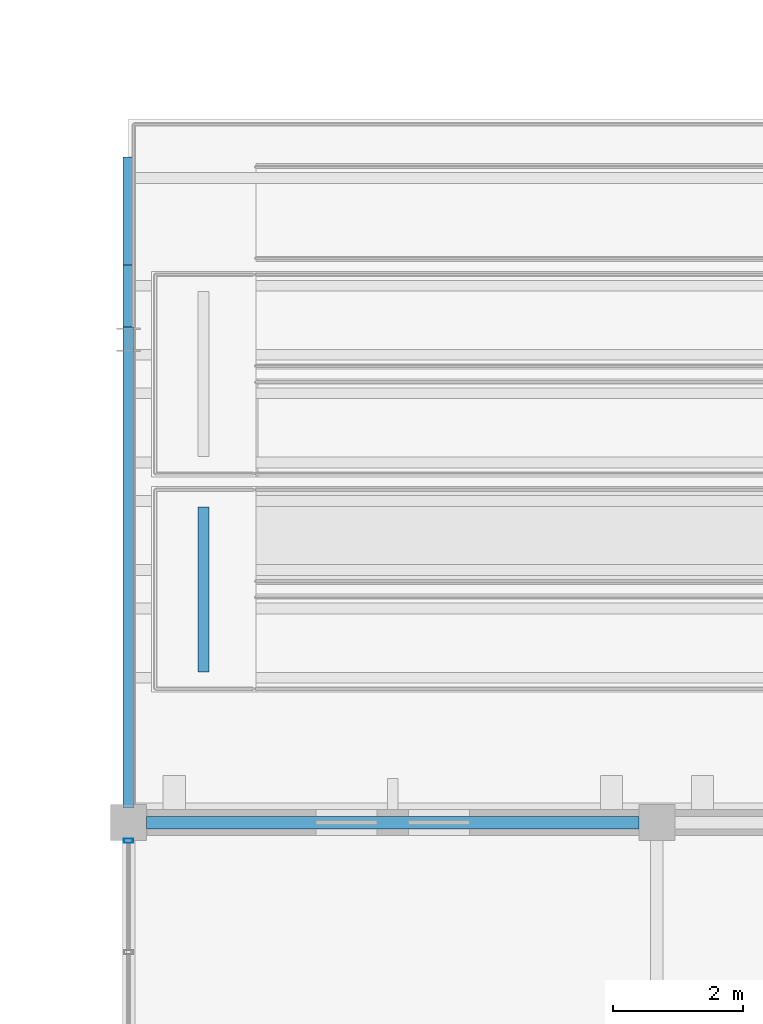
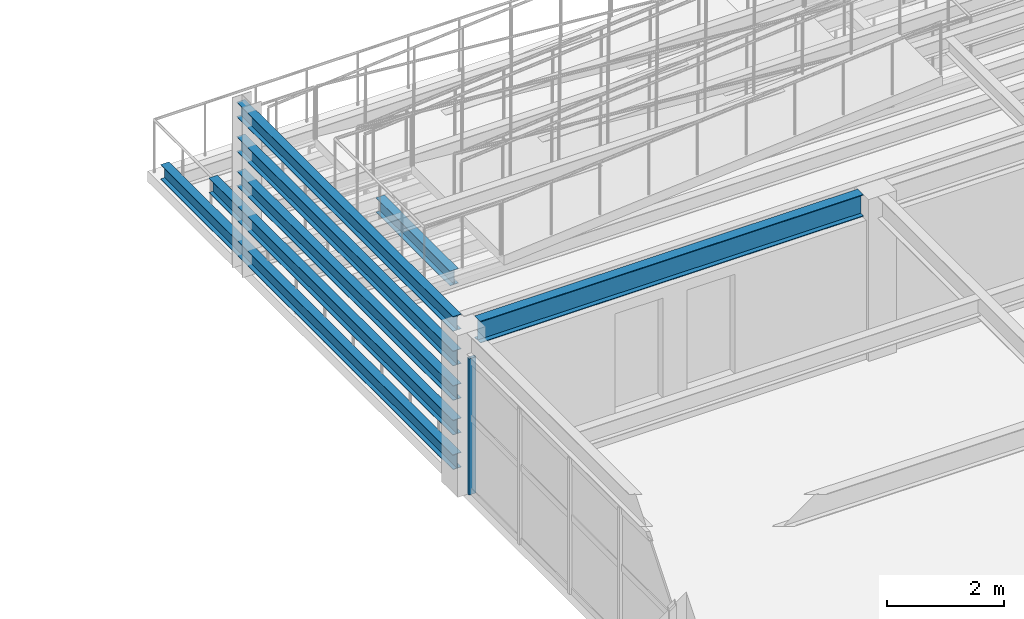
# One storey, part 72 of 121: 7 beams, 1 member, 1 element without a shape of its own.
"""IFC4 building model written with IfcOpenShell, lengths in metres."""

import ifcopenshell
import ifcopenshell.guid

model = None  # the IFC model being written
_history = None  # IfcOwnerHistory: only IFC2X3 demands one
_inside = {}  # id of a spatial element -> (the spatial element, [elements in it])
_under = {}  # id of a project, library or spatial element -> (it, [spatial elements below it])
_declared = {}  # id of a project -> (the project, [libraries it declares])
_typed = {}  # id of a type object -> (the type object, [elements of that type])
_made_of = {}  # id of a material, layer set ... -> (it, [elements and type objects made of it])


def new_model(schema):
    """Start an empty IFC model of exactly this schema.

    Asked for "IFC4X3", IfcOpenShell would pick the latest addendum, in which some entities
    have other attributes; the version numbers below select the first issue.
    IFC2X3 requires an IfcOwnerHistory on every rooted entity: one is made here for all.
    """
    global model, _history
    if schema == "IFC4X3":
        model = ifcopenshell.file(schema_version=(4, 3, 0, 0))
    else:
        model = ifcopenshell.file(schema=schema)
    _inside.clear()
    _under.clear()
    _declared.clear()
    _typed.clear()
    _made_of.clear()
    _history = None
    if model.schema == "IFC2X3":
        org = make("IfcOrganization", Name="unknown")
        user = make(
            "IfcPersonAndOrganization",
            ThePerson=make("IfcPerson", FamilyName="unknown"),
            TheOrganization=org,
        )
        app = make(
            "IfcApplication",
            ApplicationDeveloper=org,
            Version="unknown",
            ApplicationFullName="unknown",
            ApplicationIdentifier="unknown",
        )
        _history = make(
            "IfcOwnerHistory",
            OwningUser=user,
            OwningApplication=app,
            ChangeAction="ADDED",
            CreationDate=0,
        )
    return model


def make(cls, **values):
    """One entity of the class cls with the attributes given. An attribute that is None is left unset."""
    return model.create_entity(
        cls, **{name: value for name, value in values.items() if value is not None}
    )


def rooted(cls, **values):
    """An entity with a GlobalId (a new one), such as an element, a storey or a relation."""
    return make(cls, GlobalId=ifcopenshell.guid.new(), OwnerHistory=_history, **values)


def si_unit(unit_type, name, prefix=None):
    """IfcSIUnit, for example si_unit("LENGTHUNIT", "METRE", prefix="MILLI")."""
    return make("IfcSIUnit", UnitType=unit_type, Prefix=prefix, Name=name)


def assignment(units):
    """IfcUnitAssignment: the units of a project."""
    return None if units is None else make("IfcUnitAssignment", Units=units)


def point(xyz):
    """IfcCartesianPoint."""
    return None if xyz is None else make("IfcCartesianPoint", Coordinates=xyz)


def direction(xyz):
    """IfcDirection."""
    return None if xyz is None else make("IfcDirection", DirectionRatios=xyz)


def frame(location, z_axis=None, x_axis=None):
    """IfcAxis2Placement3D, a coordinate frame: its origin and axes. An axis left out is left unset."""
    return make(
        "IfcAxis2Placement3D",
        Location=point(location),
        Axis=direction(z_axis),
        RefDirection=direction(x_axis),
    )


def frame_2d(location, x_axis=None):
    """IfcAxis2Placement2D, a coordinate frame in the plane: its origin and x axis."""
    return make(
        "IfcAxis2Placement2D", Location=point(location), RefDirection=direction(x_axis)
    )


def origin():
    """The frame at (0, 0, 0) with its axes left unset."""
    return frame((0.0, 0.0, 0.0))


def origin_2d():
    """The frame at (0, 0) in the plane with its x axis left unset."""
    return frame_2d((0.0, 0.0))


def place(relative_to, where):
    """IfcLocalPlacement: puts the frame where relative to a parent placement (None: the world)."""
    return make(
        "IfcLocalPlacement", PlacementRelTo=relative_to, RelativePlacement=where
    )


def context(
    kind, dimensions, precision=None, world=None, true_north=None, identifier=None
):
    """IfcGeometricRepresentationContext, for example the 3D "Model" context."""
    return make(
        "IfcGeometricRepresentationContext",
        ContextIdentifier=identifier,
        ContextType=kind,
        CoordinateSpaceDimension=dimensions,
        Precision=precision,
        WorldCoordinateSystem=world,
        TrueNorth=true_north,
    )


def subcontext(parent, identifier, kind, view, scale=None):
    """IfcGeometricRepresentationSubContext, for example "Body" below "Model"."""
    return make(
        "IfcGeometricRepresentationSubContext",
        ContextIdentifier=identifier,
        ContextType=kind,
        ParentContext=parent,
        TargetScale=scale,
        TargetView=view,
    )


def project(units=None, contexts=None):
    """IfcProject with its units and contexts."""
    return rooted(
        "IfcProject",
        Name="project",
        RepresentationContexts=contexts,
        UnitsInContext=assignment(units),
    )


def spatial(cls, under=None, at=None, **own):
    """A site, building, storey or space (cls), placed at a placement, below another one or the project."""
    s = rooted(cls, ObjectPlacement=at, **own)
    if under is not None:
        _under.setdefault(under.id(), (under, []))[1].append(s)
    return s


def profile(cls, at=None, kind="AREA", **sizes):
    """A parametric profile (cls). Its sizes go by their IFC names, for example OverallWidth=200.0."""
    return make(cls, ProfileType=kind, Position=at, **sizes)


def hollow_rectangle(**sizes):
    """IfcRectangleHollowProfileDef."""
    return profile("IfcRectangleHollowProfileDef", **sizes)


def i_section(**sizes):
    """IfcIShapeProfileDef."""
    return profile("IfcIShapeProfileDef", **sizes)


def extrude(swept, where, along, depth):
    """IfcExtrudedAreaSolid: the profile swept, set in the frame where, extruded along a direction by depth."""
    return make(
        "IfcExtrudedAreaSolid",
        SweptArea=swept,
        Position=where,
        ExtrudedDirection=direction(along),
        Depth=depth,
    )


def shape(context_of_items, identifier, shape_type, items):
    """IfcShapeRepresentation: the items that make up one representation, for example the "Body"."""
    return make(
        "IfcShapeRepresentation",
        ContextOfItems=context_of_items,
        RepresentationIdentifier=identifier,
        RepresentationType=shape_type,
        Items=items,
    )


def material(Name=None, Category=None):
    """IfcMaterial."""
    return make("IfcMaterial", Name=Name, Category=Category)


def material_profile(
    of_material, cross_section, Name=None, Category=None, Priority=None
):
    """IfcMaterialProfile: a cross section and its material."""
    return make(
        "IfcMaterialProfile",
        Name=Name,
        Material=of_material,
        Profile=cross_section,
        Priority=Priority,
        Category=Category,
    )


def profile_set(profiles, Name=None, composite=None):
    """IfcMaterialProfileSet."""
    return make(
        "IfcMaterialProfileSet",
        Name=Name,
        MaterialProfiles=profiles,
        CompositeProfile=composite,
    )


def made_of(thing, what):
    """Note that an element or type object is made of a material, layer set ...; save() writes the relation."""
    if what is not None:
        _made_of.setdefault(what.id(), (what, []))[1].append(thing)
    return thing


def type_object(cls, material=None, **own):
    """A type object (cls), such as IfcWallType, which elements share."""
    return made_of(rooted(cls, **own), material)


def element(
    cls,
    number,
    at=None,
    inside=None,
    cuts=None,
    type_object=None,
    material=None,
    context=None,
    identifier="Body",
    shape_type=None,
    held_by="IfcProductDefinitionShape",
    body=None,
    shapes=None,
    **own,
):
    """One element of the class cls, such as IfcWall. Its Tag is "e" and its number.

    at: its placement. inside: the storey or other place that contains it. cuts: it is an
    opening in that element (IfcRelVoidsElement). A single representation is given by context,
    identifier, shape_type and body (its items); several are given by shapes. held_by: the class
    of the entity that holds the representations. save() writes the other relations.
    """
    e = rooted(cls, Tag="e%d" % number, ObjectPlacement=at, **own)
    if body is not None:
        shapes = [shape(context, identifier, shape_type, body)]
    if shapes is not None:
        e.Representation = make(held_by, Representations=shapes)
    if inside is not None:
        _inside.setdefault(inside.id(), (inside, []))[1].append(e)
    if cuts is not None:
        rooted(
            "IfcRelVoidsElement", RelatingBuildingElement=cuts, RelatedOpeningElement=e
        )
    if type_object is not None:
        _typed.setdefault(type_object.id(), (type_object, []))[1].append(e)
    return made_of(e, material)


def aggregate(whole, parts):
    """IfcRelAggregates: a whole, such as a stair, and the parts it consists of."""
    return rooted("IfcRelAggregates", RelatingObject=whole, RelatedObjects=parts)


def save(model, path):
    """Write the relations noted so far, then the file.

    IfcRelAggregates (storeys below a building ...), IfcRelContainedInSpatialStructure (elements
    in a storey), IfcRelDefinesByType, IfcRelAssociatesMaterial and IfcRelDeclares: one each for
    every whole, place, type object, material and project.
    """
    for whole, parts in _under.values():
        aggregate(whole, parts)
    for where, things in _inside.values():
        rooted(
            "IfcRelContainedInSpatialStructure",
            RelatedElements=things,
            RelatingStructure=where,
        )
    for kind, things in _typed.values():
        rooted("IfcRelDefinesByType", RelatedObjects=things, RelatingType=kind)
    for what, things in _made_of.values():
        rooted("IfcRelAssociatesMaterial", RelatedObjects=things, RelatingMaterial=what)
    for by, libraries in _declared.values():
        rooted("IfcRelDeclares", RelatingContext=by, RelatedDefinitions=libraries)
    model.write(path)


model = new_model("IFC4")

# Units and contexts
model_context = context("Model", 3, precision=1e-05, world=origin(), true_north=direction((0.0, 1.0)))
body_context = subcontext(model_context, "Body", "Model", "MODEL_VIEW")
ifc_project = project(units=[si_unit("LENGTHUNIT", "METRE"), si_unit("AREAUNIT", "SQUARE_METRE"), si_unit("VOLUMEUNIT", "CUBIC_METRE"), si_unit("PLANEANGLEUNIT", "RADIAN"), si_unit("MASSUNIT", "GRAM", prefix="KILO")], contexts=[model_context])

# Site, building, storey
site_placement = place(None, origin())
site = spatial("IfcSite", under=ifc_project, at=site_placement, CompositionType="ELEMENT")
building_placement = place(site_placement, origin())
building = spatial("IfcBuilding", under=site, at=building_placement, Name="Cimatlan Art Gallery", CompositionType="ELEMENT")
storey_placement = place(building_placement, frame((0.0, 0.0, 10.199951171875)))
storey = spatial("IfcBuildingStorey", under=building, at=storey_placement, Name="L02", CompositionType="ELEMENT", Elevation=10.199951171875)

# Beams
ifc_material_1 = material(Name="Steel ASTM A992 Grade 50", Category="steel")
ifc_material_profile_1 = material_profile(ifc_material_1, i_section(OverallWidth=0.1650390625, OverallDepth=0.31005859375, WebThickness=0.005859375, FlangeThickness=0.009765625, at=origin_2d()), Name="W12X26")
ifc_profile_set_1 = profile_set([ifc_material_profile_1], Name="Steel ASTM A992 Grade 50")
beam_type_1 = type_object("IfcBeamType", Name="BM-STL-W12X26", PredefinedType="JOIST", material=ifc_profile_set_1)
beam_1_placement = place(storey_placement, frame((115.39990234375, 83.320068359375, 0.364990234375), z_axis=(0.0, 1.0, 0.0), x_axis=(-1.0, 0.0, 0.0)))
element("IfcBeam", 1, at=beam_1_placement, inside=storey, type_object=beam_type_1, Name="BM-RMP-TER-B4-L1-NSW", PredefinedType="JOIST", context=body_context, shape_type="SweptSolid", body=[
    extrude(i_section(OverallWidth=0.1650390625, OverallDepth=0.31005859375, WebThickness=0.005859375, FlangeThickness=0.009765625, at=origin_2d()), origin(), (0.0, 0.0, 1.0), 9.97998046875),
])
beam_2_placement = place(storey_placement, frame((115.39990234375, 83.320068359375, 1.0849609375), z_axis=(0.0, 1.0, 0.0), x_axis=(-1.0, 0.0, 0.0)))
element("IfcBeam", 2, at=beam_2_placement, inside=storey, type_object=beam_type_1, Name="BM-RMP-TER-B4-L2-NSW", PredefinedType="JOIST", context=body_context, shape_type="SweptSolid", body=[
    extrude(i_section(OverallWidth=0.1650390625, OverallDepth=0.31005859375, WebThickness=0.005859375, FlangeThickness=0.009765625, at=origin_2d()), origin(), (0.0, 0.0, 1.0), 8.329833984375),
])
for number, where, z_axis, x_axis, name in (
    (3, (115.39990234375, 83.320068359375, 1.804931640625), (0.0, 1.0, 0.0), (-1.0, 0.0, 0.0), "BM-RMP-TER-B4-L3-NSW"),
    (4, (115.39990234375, 83.320068359375, 2.525146484375), (0.0, 1.0, 0.0), (-1.0, 0.0, 0.0), "BM-RMP-TER-B4-L4-NSW"),
):
    element("IfcBeam", number, at=place(storey_placement, frame(where, z_axis=z_axis, x_axis=x_axis)), inside=storey, type_object=beam_type_1, Name=name, PredefinedType="JOIST", context=body_context, shape_type="SweptSolid", body=[
        extrude(i_section(OverallWidth=0.1650390625, OverallDepth=0.31005859375, WebThickness=0.005859375, FlangeThickness=0.009765625, at=origin_2d()), origin(), (0.0, 0.0, 1.0), 7.3798828125),
    ])
beam_3_placement = place(storey_placement, frame((116.550048828125, 85.409912109375, 2.525146484375), z_axis=(0.0, 1.0, 0.0), x_axis=(-1.0, 0.0, 0.0)))
element("IfcBeam", 5, at=beam_3_placement, inside=storey, type_object=beam_type_1, Name="BM-RMP-TER-B4-L4-X1", PredefinedType="JOIST", context=body_context, shape_type="SweptSolid", body=[
    extrude(i_section(OverallWidth=0.1650390625, OverallDepth=0.31005859375, WebThickness=0.005859375, FlangeThickness=0.009765625, at=origin_2d()), origin(), (0.0, 0.0, 1.0), 2.530029296875),
])
beam_4_placement = place(storey_placement, frame((115.39990234375, 83.320068359375, 3.2451171875), z_axis=(0.0, 1.0, 0.0), x_axis=(-1.0, 0.0, 0.0)))
element("IfcBeam", 6, at=beam_4_placement, inside=storey, type_object=beam_type_1, Name="BM-RMP-TER-B4-L5-NSW", PredefinedType="JOIST", context=body_context, shape_type="SweptSolid", body=[
    extrude(i_section(OverallWidth=0.1650390625, OverallDepth=0.31005859375, WebThickness=0.005859375, FlangeThickness=0.009765625, at=origin_2d()), origin(), (0.0, 0.0, 1.0), 7.3798828125),
])
ifc_material_profile_2 = material_profile(ifc_material_1, i_section(OverallWidth=0.19091796875, OverallDepth=0.45703125, WebThickness=0.009033203125, FlangeThickness=0.014404296875, at=origin_2d()), Name="W18X50")
ifc_profile_set_2 = profile_set([ifc_material_profile_2], Name="Steel ASTM A992 Grade 50")
beam_type_2 = type_object("IfcBeamType", Name="BM-STL-W18X50", PredefinedType="BEAM", material=ifc_profile_set_2)
beam_5_placement = place(storey_placement, frame((115.675048828125, 83.10009765625, 3.1416015625), z_axis=(1.0, 0.0, 0.0), x_axis=(0.0, 1.0, 0.0)))
element("IfcBeam", 7, at=beam_5_placement, inside=storey, type_object=beam_type_2, Name="BM-X-L02-14-11", PredefinedType="BEAM", context=body_context, shape_type="SweptSolid", body=[
    extrude(i_section(OverallWidth=0.19091796875, OverallDepth=0.45703125, WebThickness=0.009033203125, FlangeThickness=0.014404296875, at=origin_2d()), origin(), (0.0, 0.0, 1.0), 7.550048828125),
])

# Curtain wall, member
ifc_material_2 = material(Name="Anodised bronze unitised curtain wall")
curtain_wall_type = type_object("IfcCurtainWallType", Name="CW-V-06842X02838-B4", PredefinedType="NOTDEFINED", material=ifc_material_2)
curtain_wall_placement = place(storey_placement, origin())
curtain_wall = element("IfcCurtainWall", 8, at=curtain_wall_placement, inside=storey, type_object=curtain_wall_type, Name="CW-L02-14-10-W", PredefinedType="NOTDEFINED")
ifc_material_3 = material(Name="Anodised bronze aluminium 6063-T6", Category="aluminium")
ifc_material_profile_3 = material_profile(ifc_material_3, hollow_rectangle(XDim=0.06494140625, YDim=0.139892578125, WallThickness=0.00390625, at=origin_2d()), Name="ALU65X140X4")
ifc_profile_set_3 = profile_set([ifc_material_profile_3], Name="Anodised bronze aluminium 6063-T6")
member_type = type_object("IfcMemberType", Name="CW-MUL-140", PredefinedType="MULLION", material=ifc_profile_set_3)
member_placement = place(storey_placement, frame((115.39990234375, 82.821044921875, 0.0), z_axis=(0.0, 0.0, 1.0), x_axis=(0.0, 1.0, 0.0)))
member = element("IfcMember", 9, at=member_placement, type_object=member_type, Name="CW-L02-14-10-W-M5", PredefinedType="MULLION", context=body_context, shape_type="SweptSolid", body=[
    extrude(hollow_rectangle(XDim=0.06494140625, YDim=0.139892578125, WallThickness=0.00390625, at=origin_2d()), origin(), (0.0, 0.0, 1.0), 2.838134765625),
])
aggregate(curtain_wall, [member])

save(model, "model.ifc")
